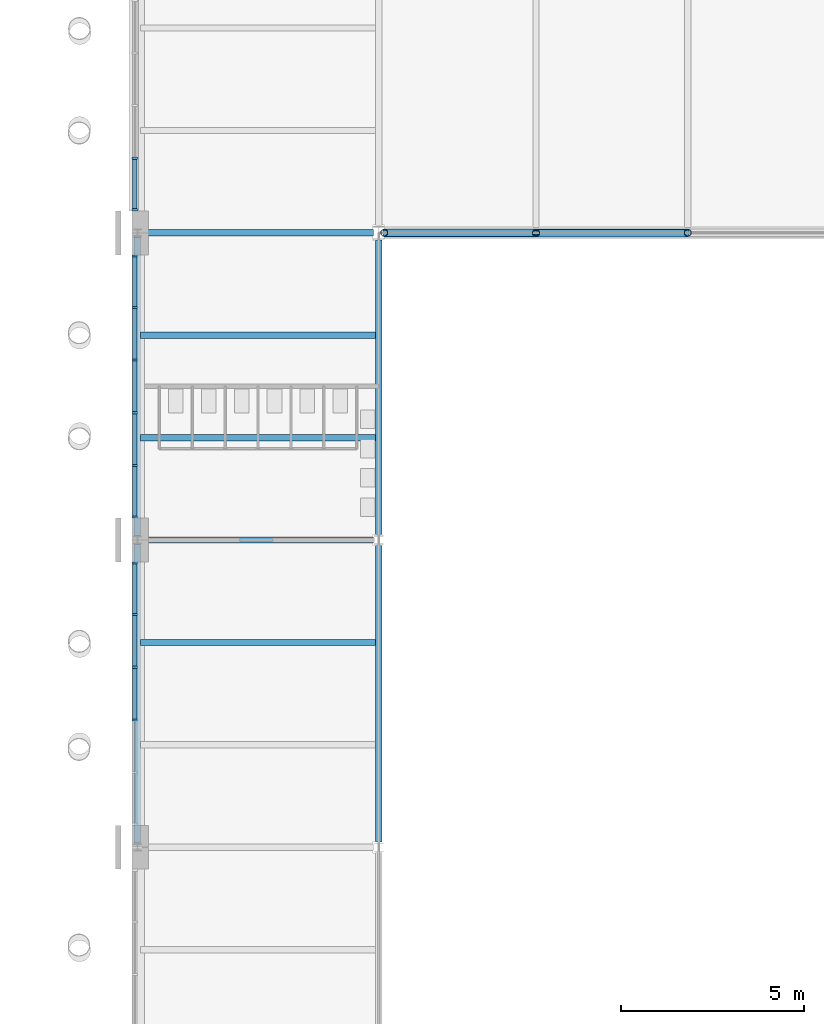
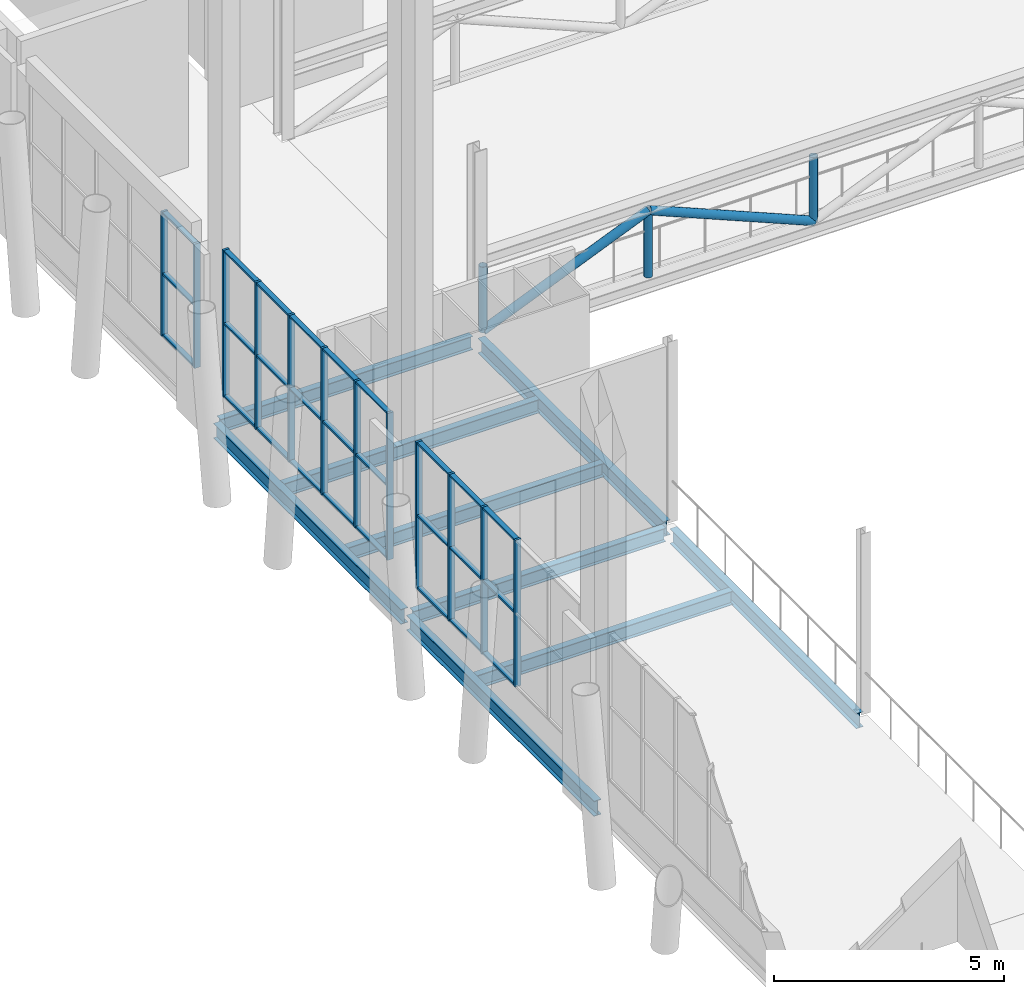
# One storey, part 19 of 76: 44 members, 9 beams, 3 elements without a shape of their own.
"""IFC4 building model written with IfcOpenShell, lengths in metres."""

from ifc_helpers import new_model, si_unit, direction, frame, origin, origin_2d, place, context, subcontext, project, spatial, rectangle, hollow_circle, i_section, extrude, material, material_profile, profile_set, type_object, element, aggregate, save


model = new_model("IFC4")

# Units and contexts
model_context = context("Model", 3, precision=1e-05, world=origin(), true_north=direction((0.0, 1.0)))
body_context = subcontext(model_context, "Body", "Model", "MODEL_VIEW")
ifc_project = project(units=[si_unit("LENGTHUNIT", "METRE"), si_unit("AREAUNIT", "SQUARE_METRE"), si_unit("VOLUMEUNIT", "CUBIC_METRE"), si_unit("PLANEANGLEUNIT", "RADIAN"), si_unit("MASSUNIT", "GRAM", prefix="KILO")], contexts=[model_context])

# Site, building, storey
site_placement = place(None, origin())
site = spatial("IfcSite", under=ifc_project, at=site_placement, CompositionType="ELEMENT")
building_placement = place(site_placement, origin())
building = spatial("IfcBuilding", under=site, at=building_placement, Name="Sava Quay Ferry Terminal", CompositionType="ELEMENT")
storey_placement = place(building_placement, frame((0.0, 0.0, 6.0)))
storey = spatial("IfcBuildingStorey", under=building, at=storey_placement, Name="L01", CompositionType="ELEMENT", Elevation=6.0)

# Beams
ifc_material_1 = material(Name="Steel S355", Category="steel")
ifc_material_profile_1 = material_profile(ifc_material_1, i_section(OverallWidth=0.169921875, OverallDepth=0.360107421875, WebThickness=0.008056640625, FlangeThickness=0.0126953125, at=origin_2d()), Name="IPE 360")
ifc_profile_set_1 = profile_set([ifc_material_profile_1], Name="Steel S355")
beam_type_1 = type_object("IfcBeamType", Name="Beam IPE 360", PredefinedType="BEAM", material=ifc_profile_set_1)
for number, where, z_axis, x_axis, name in (
    (1, (43.919921875, 75.60009765625, -0.31005859375), (1.0, 0.0, 0.0), (0.0, 1.0, 0.0), "Beam L01"),
    (2, (43.919921875, 84.0, -0.31005859375), (1.0, 0.0, 0.0), (0.0, 1.0, 0.0), "Beam L01"),
):
    element("IfcBeam", number, at=place(storey_placement, frame(where, z_axis=z_axis, x_axis=x_axis)), inside=storey, type_object=beam_type_1, Name=name, PredefinedType="BEAM", context=body_context, shape_type="SweptSolid", body=[
        extrude(i_section(OverallWidth=0.169921875, OverallDepth=0.360107421875, WebThickness=0.008056640625, FlangeThickness=0.0126953125, at=origin_2d()), origin(), (0.0, 0.0, 1.0), 6.330078125),
    ])
for number, where, z_axis, x_axis, name in (
    (3, (43.889892578125, 72.800048828125, -0.31005859375), (1.0, 0.0, 0.0), (0.0, 1.0, 0.0), "Secondary beam L01"),
    (4, (43.889892578125, 78.39990234375, -0.31005859375), (1.0, 0.0, 0.0), (0.0, 1.0, 0.0), "Secondary beam L01"),
    (5, (43.889892578125, 81.199951171875, -0.31005859375), (1.0, 0.0, 0.0), (0.0, 1.0, 0.0), "Secondary beam L01"),
):
    element("IfcBeam", number, at=place(storey_placement, frame(where, z_axis=z_axis, x_axis=x_axis)), inside=storey, type_object=beam_type_1, Name=name, PredefinedType="BEAM", context=body_context, shape_type="SweptSolid", body=[
        extrude(i_section(OverallWidth=0.169921875, OverallDepth=0.360107421875, WebThickness=0.008056640625, FlangeThickness=0.0126953125, at=origin_2d()), origin(), (0.0, 0.0, 1.0), 6.420166015625),
    ])
ifc_material_2 = material(Name="Steel S355", Category="steel")
ifc_material_profile_2 = material_profile(ifc_material_2, i_section(OverallWidth=0.179931640625, OverallDepth=0.39990234375, WebThickness=0.008544921875, FlangeThickness=0.013427734375, at=origin_2d()), Name="IPE 400")
ifc_profile_set_2 = profile_set([ifc_material_profile_2], Name="Steel S355")
beam_type_2 = type_object("IfcBeamType", Name="Beam IPE 400", PredefinedType="BEAM", material=ifc_profile_set_2)
for number, where, z_axis, x_axis, name in (
    (6, (43.800048828125, 67.320068359375, -0.330078125), (0.0, 1.0, 0.0), (-1.0, 0.0, 0.0), "Girder L01"),
    (7, (43.800048828125, 75.719970703125, -0.330078125), (0.0, 1.0, 0.0), (-1.0, 0.0, 0.0), "Girder L01"),
):
    element("IfcBeam", number, at=place(storey_placement, frame(where, z_axis=z_axis, x_axis=x_axis)), inside=storey, type_object=beam_type_2, Name=name, PredefinedType="BEAM", context=body_context, shape_type="SweptSolid", body=[
        extrude(i_section(OverallWidth=0.179931640625, OverallDepth=0.39990234375, WebThickness=0.008544921875, FlangeThickness=0.013427734375, at=origin_2d()), origin(), (0.0, 0.0, 1.0), 8.159912109375),
    ])
beam_1_placement = place(storey_placement, frame((50.39990234375, 67.344970703125, -0.330078125), z_axis=(0.0, 1.0, 0.0), x_axis=(-1.0, 0.0, 0.0)))
element("IfcBeam", 8, at=beam_1_placement, inside=storey, type_object=beam_type_2, Name="Girder L01", PredefinedType="BEAM", context=body_context, shape_type="SweptSolid", body=[
    extrude(i_section(OverallWidth=0.179931640625, OverallDepth=0.39990234375, WebThickness=0.008544921875, FlangeThickness=0.013427734375, at=origin_2d()), origin(), (0.0, 0.0, 1.0), 8.110107421875),
])
beam_2_placement = place(storey_placement, frame((50.39990234375, 75.7451171875, -0.330078125), z_axis=(0.0, 1.0, 0.0), x_axis=(-1.0, 0.0, 0.0)))
element("IfcBeam", 9, at=beam_2_placement, inside=storey, type_object=beam_type_2, Name="Girder L01", PredefinedType="BEAM", context=body_context, shape_type="SweptSolid", body=[
    extrude(i_section(OverallWidth=0.179931640625, OverallDepth=0.39990234375, WebThickness=0.008544921875, FlangeThickness=0.013427734375, at=origin_2d()), origin(), (0.0, 0.0, 1.0), 8.054931640625),
])

# Members
ifc_material_3 = material(Name="Steel S355", Category="steel")
ifc_material_profile_3 = material_profile(ifc_material_3, hollow_circle(Radius=0.096923828125, WallThickness=0.008056640625, at=origin_2d()), Name="CHS 193.7 x 8")
ifc_profile_set_3 = profile_set([ifc_material_profile_3], Name="Steel S355")
member_type_1 = type_object("IfcMemberType", Name="Brace CHS 193.7 x 8", PredefinedType="BRACE", material=ifc_profile_set_3)
for number, where, z_axis, x_axis, name in (
    (10, (50.550048828125, 84.0, -0.1298828125), (0.0, 0.0, 1.0), (1.0, 0.0, 0.0), "Truss post 84"),
    (11, (54.699951171875, 84.0, -0.1298828125), (0.0, 0.0, 1.0), (1.0, 0.0, 0.0), "Truss post 84"),
    (12, (58.85009765625, 84.0, -0.1298828125), (0.0, 0.0, 1.0), (1.0, 0.0, 0.0), "Truss post 84"),
):
    element("IfcMember", number, at=place(storey_placement, frame(where, z_axis=z_axis, x_axis=x_axis)), inside=storey, type_object=member_type_1, Name=name, PredefinedType="BRACE", context=body_context, shape_type="SweptSolid", body=[
        extrude(hollow_circle(Radius=0.096923828125, WallThickness=0.008056640625, at=origin_2d()), origin(), (0.0, 0.0, 1.0), 1.739990234375),
    ])
ifc_material_4 = material(Name="Steel S355", Category="steel")
ifc_material_profile_4 = material_profile(ifc_material_4, hollow_circle(Radius=0.109619140625, WallThickness=0.010009765625, at=origin_2d()), Name="CHS 219.1 x 10")
ifc_profile_set_4 = profile_set([ifc_material_profile_4], Name="Steel S355")
member_type_2 = type_object("IfcMemberType", Name="Brace CHS 219.1 x 10", PredefinedType="BRACE", material=ifc_profile_set_4)
member_1_placement = place(storey_placement, frame((50.550048828125, 84.0, -0.1298828125), z_axis=(0.922217474343, 0.0, 0.386671604874), x_axis=(0.0, 1.0, 0.0)))
element("IfcMember", 13, at=member_1_placement, inside=storey, type_object=member_type_2, Name="Truss diagonal 84", PredefinedType="BRACE", context=body_context, shape_type="SweptSolid", body=[
    extrude(hollow_circle(Radius=0.109619140625, WallThickness=0.010009765625, at=origin_2d()), origin(), (0.0, 0.0, 1.0), 4.5),
])
member_2_placement = place(storey_placement, frame((58.85009765625, 84.0, -0.1298828125), z_axis=(-0.922225585588, 0.0, 0.386652258867), x_axis=(0.0, -1.0, 0.0)))
element("IfcMember", 14, at=member_2_placement, inside=storey, type_object=member_type_2, Name="Truss diagonal 84", PredefinedType="BRACE", context=body_context, shape_type="SweptSolid", body=[
    extrude(hollow_circle(Radius=0.109619140625, WallThickness=0.010009765625, at=origin_2d()), origin(), (0.0, 0.0, 1.0), 4.500244140625),
])

# Curtain wall, members
ifc_material_5 = material(Name="Aluminium and glass curtain wall, double low-e glazed", Category="aluminium")
curtain_wall_type = type_object("IfcCurtainWallType", Name="Curtain wall CW-F flank", PredefinedType="NOTDEFINED", material=ifc_material_5)
curtain_wall_1_placement = place(storey_placement, origin())
curtain_wall_1 = element("IfcCurtainWall", 15, at=curtain_wall_1_placement, inside=storey, type_object=curtain_wall_type, Name="Curtain wall D-W L01 bay 3", PredefinedType="NOTDEFINED")
ifc_material_6 = material(Name="Aluminium EN AW-6063 T6", Category="aluminium")
ifc_material_profile_5 = material_profile(ifc_material_6, rectangle(XDim=0.14990234375, YDim=0.06005859375, at=origin_2d()), Name="Mullion 60x150 aluminium")
ifc_profile_set_5 = profile_set([ifc_material_profile_5], Name="Aluminium EN AW-6063 T6")
member_type_3 = type_object("IfcMemberType", Name="Mullion 60x150 aluminium", PredefinedType="MULLION", material=ifc_profile_set_5)
member_3_placement = place(storey_placement, frame((43.72509765625, 70.679931640625, 0.89990234375), z_axis=(0.0, 0.0, 1.0), x_axis=(-1.0, 0.0, 0.0)))
member_3 = element("IfcMember", 16, at=member_3_placement, type_object=member_type_3, Name="CW104 mullion 3", PredefinedType="MULLION", context=body_context, shape_type="SweptSolid", body=[
    extrude(rectangle(XDim=0.14990234375, YDim=0.06005859375, at=origin_2d()), origin(), (0.0, 0.0, 1.0), 3.900146484375),
])
member_4_placement = place(storey_placement, frame((43.72509765625, 72.1201171875, 0.89990234375), z_axis=(0.0, 0.0, 1.0), x_axis=(-1.0, 0.0, 0.0)))
member_4 = element("IfcMember", 17, at=member_4_placement, type_object=member_type_3, Name="CW104 mullion 4", PredefinedType="MULLION", context=body_context, shape_type="SweptSolid", body=[
    extrude(rectangle(XDim=0.14990234375, YDim=0.06005859375, at=origin_2d()), origin(), (0.0, 0.0, 1.0), 3.900146484375),
])
member_5_placement = place(storey_placement, frame((43.72509765625, 73.56005859375, 0.89990234375), z_axis=(0.0, 0.0, 1.0), x_axis=(-1.0, 0.0, 0.0)))
member_5 = element("IfcMember", 18, at=member_5_placement, type_object=member_type_3, Name="CW104 mullion 5", PredefinedType="MULLION", context=body_context, shape_type="SweptSolid", body=[
    extrude(rectangle(XDim=0.14990234375, YDim=0.06005859375, at=origin_2d()), origin(), (0.0, 0.0, 1.0), 3.900146484375),
])
member_6_placement = place(storey_placement, frame((43.72509765625, 74.969970703125, 0.89990234375), z_axis=(0.0, 0.0, 1.0), x_axis=(-1.0, 0.0, 0.0)))
member_6 = element("IfcMember", 19, at=member_6_placement, type_object=member_type_3, Name="CW104 mullion 6", PredefinedType="MULLION", context=body_context, shape_type="SweptSolid", body=[
    extrude(rectangle(XDim=0.14990234375, YDim=0.06005859375, at=origin_2d()), origin(), (0.0, 0.0, 1.0), 3.900146484375),
])

curtain_wall_2_placement = place(storey_placement, origin())
curtain_wall_2 = element("IfcCurtainWall", 20, at=curtain_wall_2_placement, inside=storey, type_object=curtain_wall_type, Name="Curtain wall D-W L01 bay 4", PredefinedType="NOTDEFINED")
member_7_placement = place(storey_placement, frame((43.72509765625, 76.22998046875, 0.89990234375), z_axis=(0.0, 0.0, 1.0), x_axis=(-1.0, 0.0, 0.0)))
member_7 = element("IfcMember", 21, at=member_7_placement, type_object=member_type_3, Name="CW107 mullion 1", PredefinedType="MULLION", context=body_context, shape_type="SweptSolid", body=[
    extrude(rectangle(XDim=0.14990234375, YDim=0.06005859375, at=origin_2d()), origin(), (0.0, 0.0, 1.0), 3.900146484375),
])
member_8_placement = place(storey_placement, frame((43.72509765625, 77.639892578125, 0.89990234375), z_axis=(0.0, 0.0, 1.0), x_axis=(-1.0, 0.0, 0.0)))
member_8 = element("IfcMember", 22, at=member_8_placement, type_object=member_type_3, Name="CW107 mullion 2", PredefinedType="MULLION", context=body_context, shape_type="SweptSolid", body=[
    extrude(rectangle(XDim=0.14990234375, YDim=0.06005859375, at=origin_2d()), origin(), (0.0, 0.0, 1.0), 3.900146484375),
])
member_9_placement = place(storey_placement, frame((43.72509765625, 79.080078125, 0.89990234375), z_axis=(0.0, 0.0, 1.0), x_axis=(-1.0, 0.0, 0.0)))
member_9 = element("IfcMember", 23, at=member_9_placement, type_object=member_type_3, Name="CW107 mullion 3", PredefinedType="MULLION", context=body_context, shape_type="SweptSolid", body=[
    extrude(rectangle(XDim=0.14990234375, YDim=0.06005859375, at=origin_2d()), origin(), (0.0, 0.0, 1.0), 3.900146484375),
])
member_10_placement = place(storey_placement, frame((43.72509765625, 80.52001953125, 0.89990234375), z_axis=(0.0, 0.0, 1.0), x_axis=(-1.0, 0.0, 0.0)))
member_10 = element("IfcMember", 24, at=member_10_placement, type_object=member_type_3, Name="CW107 mullion 4", PredefinedType="MULLION", context=body_context, shape_type="SweptSolid", body=[
    extrude(rectangle(XDim=0.14990234375, YDim=0.06005859375, at=origin_2d()), origin(), (0.0, 0.0, 1.0), 3.900146484375),
])
member_11_placement = place(storey_placement, frame((43.72509765625, 81.9599609375, 0.89990234375), z_axis=(0.0, 0.0, 1.0), x_axis=(-1.0, 0.0, 0.0)))
member_11 = element("IfcMember", 25, at=member_11_placement, type_object=member_type_3, Name="CW107 mullion 5", PredefinedType="MULLION", context=body_context, shape_type="SweptSolid", body=[
    extrude(rectangle(XDim=0.14990234375, YDim=0.06005859375, at=origin_2d()), origin(), (0.0, 0.0, 1.0), 3.900146484375),
])
member_12_placement = place(storey_placement, frame((43.72509765625, 83.3701171875, 0.89990234375), z_axis=(0.0, 0.0, 1.0), x_axis=(-1.0, 0.0, 0.0)))
member_12 = element("IfcMember", 26, at=member_12_placement, type_object=member_type_3, Name="CW107 mullion 6", PredefinedType="MULLION", context=body_context, shape_type="SweptSolid", body=[
    extrude(rectangle(XDim=0.14990234375, YDim=0.06005859375, at=origin_2d()), origin(), (0.0, 0.0, 1.0), 3.900146484375),
])

curtain_wall_3_placement = place(storey_placement, origin())
curtain_wall_3 = element("IfcCurtainWall", 27, at=curtain_wall_3_placement, inside=storey, type_object=curtain_wall_type, Name="Curtain wall D-W L01 bay 5", PredefinedType="NOTDEFINED")
member_13_placement = place(storey_placement, frame((43.72509765625, 84.6298828125, 0.89990234375), z_axis=(0.0, 0.0, 1.0), x_axis=(-1.0, 0.0, 0.0)))
member_13 = element("IfcMember", 28, at=member_13_placement, type_object=member_type_3, Name="CW111 mullion 1", PredefinedType="MULLION", context=body_context, shape_type="SweptSolid", body=[
    extrude(rectangle(XDim=0.14990234375, YDim=0.06005859375, at=origin_2d()), origin(), (0.0, 0.0, 1.0), 3.300048828125),
])
member_14_placement = place(storey_placement, frame((43.72509765625, 86.0400390625, 0.89990234375), z_axis=(0.0, 0.0, 1.0), x_axis=(-1.0, 0.0, 0.0)))
member_14 = element("IfcMember", 29, at=member_14_placement, type_object=member_type_3, Name="CW111 mullion 2", PredefinedType="MULLION", context=body_context, shape_type="SweptSolid", body=[
    extrude(rectangle(XDim=0.14990234375, YDim=0.06005859375, at=origin_2d()), origin(), (0.0, 0.0, 1.0), 3.300048828125),
])

# Member
ifc_material_7 = material(Name="Aluminium EN AW-6063 T6", Category="aluminium")
ifc_material_profile_6 = material_profile(ifc_material_7, rectangle(XDim=0.1201171875, YDim=0.050048828125, at=origin_2d()), Name="Transom 50x120 aluminium")
ifc_profile_set_6 = profile_set([ifc_material_profile_6], Name="Aluminium EN AW-6063 T6")
member_type_4 = type_object("IfcMemberType", Name="Transom 50x120 aluminium", PredefinedType="USERDEFINED", material=ifc_profile_set_6)
member_15_placement = place(storey_placement, frame((43.72509765625, 70.7099609375, 0.925048828125), z_axis=(0.0, 1.0, 0.0), x_axis=(-1.0, 0.0, 0.0)))
member_15 = element("IfcMember", 30, at=member_15_placement, type_object=member_type_4, Name="CW104 transom 3.1", ObjectType="TRANSOM", PredefinedType="USERDEFINED", context=body_context, shape_type="SweptSolid", body=[
    extrude(rectangle(XDim=0.1201171875, YDim=0.050048828125, at=origin_2d()), origin(), (0.0, 0.0, 1.0), 1.380126953125),
])

member_16_placement = place(storey_placement, frame((43.72509765625, 70.7099609375, 2.85009765625), z_axis=(0.0, 1.0, 0.0), x_axis=(-1.0, 0.0, 0.0)))
member_16 = element("IfcMember", 31, at=member_16_placement, type_object=member_type_4, Name="CW104 transom 3.2", ObjectType="TRANSOM", PredefinedType="USERDEFINED", context=body_context, shape_type="SweptSolid", body=[
    extrude(rectangle(XDim=0.1201171875, YDim=0.050048828125, at=origin_2d()), origin(), (0.0, 0.0, 1.0), 1.380126953125),
])

member_17_placement = place(storey_placement, frame((43.72509765625, 70.7099609375, 4.77490234375), z_axis=(0.0, 1.0, 0.0), x_axis=(-1.0, 0.0, 0.0)))
member_17 = element("IfcMember", 32, at=member_17_placement, type_object=member_type_4, Name="CW104 transom 3.3", ObjectType="TRANSOM", PredefinedType="USERDEFINED", context=body_context, shape_type="SweptSolid", body=[
    extrude(rectangle(XDim=0.1201171875, YDim=0.050048828125, at=origin_2d()), origin(), (0.0, 0.0, 1.0), 1.380126953125),
])

member_18_placement = place(storey_placement, frame((43.72509765625, 72.14990234375, 0.925048828125), z_axis=(0.0, 1.0, 0.0), x_axis=(-1.0, 0.0, 0.0)))
member_18 = element("IfcMember", 33, at=member_18_placement, type_object=member_type_4, Name="CW104 transom 4.1", ObjectType="TRANSOM", PredefinedType="USERDEFINED", context=body_context, shape_type="SweptSolid", body=[
    extrude(rectangle(XDim=0.1201171875, YDim=0.050048828125, at=origin_2d()), origin(), (0.0, 0.0, 1.0), 1.380126953125),
])

member_19_placement = place(storey_placement, frame((43.72509765625, 72.14990234375, 2.85009765625), z_axis=(0.0, 1.0, 0.0), x_axis=(-1.0, 0.0, 0.0)))
member_19 = element("IfcMember", 34, at=member_19_placement, type_object=member_type_4, Name="CW104 transom 4.2", ObjectType="TRANSOM", PredefinedType="USERDEFINED", context=body_context, shape_type="SweptSolid", body=[
    extrude(rectangle(XDim=0.1201171875, YDim=0.050048828125, at=origin_2d()), origin(), (0.0, 0.0, 1.0), 1.380126953125),
])

member_20_placement = place(storey_placement, frame((43.72509765625, 72.14990234375, 4.77490234375), z_axis=(0.0, 1.0, 0.0), x_axis=(-1.0, 0.0, 0.0)))
member_20 = element("IfcMember", 35, at=member_20_placement, type_object=member_type_4, Name="CW104 transom 4.3", ObjectType="TRANSOM", PredefinedType="USERDEFINED", context=body_context, shape_type="SweptSolid", body=[
    extrude(rectangle(XDim=0.1201171875, YDim=0.050048828125, at=origin_2d()), origin(), (0.0, 0.0, 1.0), 1.380126953125),
])

member_21_placement = place(storey_placement, frame((43.72509765625, 73.590087890625, 0.925048828125), z_axis=(0.0, 1.0, 0.0), x_axis=(-1.0, 0.0, 0.0)))
member_21 = element("IfcMember", 36, at=member_21_placement, type_object=member_type_4, Name="CW104 transom 5.1", ObjectType="TRANSOM", PredefinedType="USERDEFINED", context=body_context, shape_type="SweptSolid", body=[
    extrude(rectangle(XDim=0.1201171875, YDim=0.050048828125, at=origin_2d()), origin(), (0.0, 0.0, 1.0), 1.349853515625),
])

member_22_placement = place(storey_placement, frame((43.72509765625, 73.590087890625, 2.85009765625), z_axis=(0.0, 1.0, 0.0), x_axis=(-1.0, 0.0, 0.0)))
member_22 = element("IfcMember", 37, at=member_22_placement, type_object=member_type_4, Name="CW104 transom 5.2", ObjectType="TRANSOM", PredefinedType="USERDEFINED", context=body_context, shape_type="SweptSolid", body=[
    extrude(rectangle(XDim=0.1201171875, YDim=0.050048828125, at=origin_2d()), origin(), (0.0, 0.0, 1.0), 1.349853515625),
])

member_23_placement = place(storey_placement, frame((43.72509765625, 73.590087890625, 4.77490234375), z_axis=(0.0, 1.0, 0.0), x_axis=(-1.0, 0.0, 0.0)))
member_23 = element("IfcMember", 38, at=member_23_placement, type_object=member_type_4, Name="CW104 transom 5.3", ObjectType="TRANSOM", PredefinedType="USERDEFINED", context=body_context, shape_type="SweptSolid", body=[
    extrude(rectangle(XDim=0.1201171875, YDim=0.050048828125, at=origin_2d()), origin(), (0.0, 0.0, 1.0), 1.349853515625),
])

aggregate(curtain_wall_1, [member_3, member_4, member_5, member_6, member_15, member_16, member_17, member_18, member_19, member_20, member_21, member_22, member_23])

member_24_placement = place(storey_placement, frame((43.72509765625, 76.260009765625, 0.925048828125), z_axis=(0.0, 1.0, 0.0), x_axis=(-1.0, 0.0, 0.0)))
member_24 = element("IfcMember", 39, at=member_24_placement, type_object=member_type_4, Name="CW107 transom 1.1", ObjectType="TRANSOM", PredefinedType="USERDEFINED", context=body_context, shape_type="SweptSolid", body=[
    extrude(rectangle(XDim=0.1201171875, YDim=0.050048828125, at=origin_2d()), origin(), (0.0, 0.0, 1.0), 1.35009765625),
])

member_25_placement = place(storey_placement, frame((43.72509765625, 76.260009765625, 2.85009765625), z_axis=(0.0, 1.0, 0.0), x_axis=(-1.0, 0.0, 0.0)))
member_25 = element("IfcMember", 40, at=member_25_placement, type_object=member_type_4, Name="CW107 transom 1.2", ObjectType="TRANSOM", PredefinedType="USERDEFINED", context=body_context, shape_type="SweptSolid", body=[
    extrude(rectangle(XDim=0.1201171875, YDim=0.050048828125, at=origin_2d()), origin(), (0.0, 0.0, 1.0), 1.35009765625),
])

member_26_placement = place(storey_placement, frame((43.72509765625, 76.260009765625, 4.77490234375), z_axis=(0.0, 1.0, 0.0), x_axis=(-1.0, 0.0, 0.0)))
member_26 = element("IfcMember", 41, at=member_26_placement, type_object=member_type_4, Name="CW107 transom 1.3", ObjectType="TRANSOM", PredefinedType="USERDEFINED", context=body_context, shape_type="SweptSolid", body=[
    extrude(rectangle(XDim=0.1201171875, YDim=0.050048828125, at=origin_2d()), origin(), (0.0, 0.0, 1.0), 1.35009765625),
])

member_27_placement = place(storey_placement, frame((43.72509765625, 77.669921875, 0.925048828125), z_axis=(0.0, 1.0, 0.0), x_axis=(-1.0, 0.0, 0.0)))
member_27 = element("IfcMember", 42, at=member_27_placement, type_object=member_type_4, Name="CW107 transom 2.1", ObjectType="TRANSOM", PredefinedType="USERDEFINED", context=body_context, shape_type="SweptSolid", body=[
    extrude(rectangle(XDim=0.1201171875, YDim=0.050048828125, at=origin_2d()), origin(), (0.0, 0.0, 1.0), 1.380126953125),
])

member_28_placement = place(storey_placement, frame((43.72509765625, 77.669921875, 2.85009765625), z_axis=(0.0, 1.0, 0.0), x_axis=(-1.0, 0.0, 0.0)))
member_28 = element("IfcMember", 43, at=member_28_placement, type_object=member_type_4, Name="CW107 transom 2.2", ObjectType="TRANSOM", PredefinedType="USERDEFINED", context=body_context, shape_type="SweptSolid", body=[
    extrude(rectangle(XDim=0.1201171875, YDim=0.050048828125, at=origin_2d()), origin(), (0.0, 0.0, 1.0), 1.380126953125),
])

member_29_placement = place(storey_placement, frame((43.72509765625, 77.669921875, 4.77490234375), z_axis=(0.0, 1.0, 0.0), x_axis=(-1.0, 0.0, 0.0)))
member_29 = element("IfcMember", 44, at=member_29_placement, type_object=member_type_4, Name="CW107 transom 2.3", ObjectType="TRANSOM", PredefinedType="USERDEFINED", context=body_context, shape_type="SweptSolid", body=[
    extrude(rectangle(XDim=0.1201171875, YDim=0.050048828125, at=origin_2d()), origin(), (0.0, 0.0, 1.0), 1.380126953125),
])

member_30_placement = place(storey_placement, frame((43.72509765625, 79.110107421875, 0.925048828125), z_axis=(0.0, 1.0, 0.0), x_axis=(-1.0, 0.0, 0.0)))
member_30 = element("IfcMember", 45, at=member_30_placement, type_object=member_type_4, Name="CW107 transom 3.1", ObjectType="TRANSOM", PredefinedType="USERDEFINED", context=body_context, shape_type="SweptSolid", body=[
    extrude(rectangle(XDim=0.1201171875, YDim=0.050048828125, at=origin_2d()), origin(), (0.0, 0.0, 1.0), 1.3798828125),
])

member_31_placement = place(storey_placement, frame((43.72509765625, 79.110107421875, 2.85009765625), z_axis=(0.0, 1.0, 0.0), x_axis=(-1.0, 0.0, 0.0)))
member_31 = element("IfcMember", 46, at=member_31_placement, type_object=member_type_4, Name="CW107 transom 3.2", ObjectType="TRANSOM", PredefinedType="USERDEFINED", context=body_context, shape_type="SweptSolid", body=[
    extrude(rectangle(XDim=0.1201171875, YDim=0.050048828125, at=origin_2d()), origin(), (0.0, 0.0, 1.0), 1.3798828125),
])

member_32_placement = place(storey_placement, frame((43.72509765625, 79.110107421875, 4.77490234375), z_axis=(0.0, 1.0, 0.0), x_axis=(-1.0, 0.0, 0.0)))
member_32 = element("IfcMember", 47, at=member_32_placement, type_object=member_type_4, Name="CW107 transom 3.3", ObjectType="TRANSOM", PredefinedType="USERDEFINED", context=body_context, shape_type="SweptSolid", body=[
    extrude(rectangle(XDim=0.1201171875, YDim=0.050048828125, at=origin_2d()), origin(), (0.0, 0.0, 1.0), 1.3798828125),
])

member_33_placement = place(storey_placement, frame((43.72509765625, 80.550048828125, 0.925048828125), z_axis=(0.0, 1.0, 0.0), x_axis=(-1.0, 0.0, 0.0)))
member_33 = element("IfcMember", 48, at=member_33_placement, type_object=member_type_4, Name="CW107 transom 4.1", ObjectType="TRANSOM", PredefinedType="USERDEFINED", context=body_context, shape_type="SweptSolid", body=[
    extrude(rectangle(XDim=0.1201171875, YDim=0.050048828125, at=origin_2d()), origin(), (0.0, 0.0, 1.0), 1.3798828125),
])

member_34_placement = place(storey_placement, frame((43.72509765625, 80.550048828125, 2.85009765625), z_axis=(0.0, 1.0, 0.0), x_axis=(-1.0, 0.0, 0.0)))
member_34 = element("IfcMember", 49, at=member_34_placement, type_object=member_type_4, Name="CW107 transom 4.2", ObjectType="TRANSOM", PredefinedType="USERDEFINED", context=body_context, shape_type="SweptSolid", body=[
    extrude(rectangle(XDim=0.1201171875, YDim=0.050048828125, at=origin_2d()), origin(), (0.0, 0.0, 1.0), 1.3798828125),
])

member_35_placement = place(storey_placement, frame((43.72509765625, 80.550048828125, 4.77490234375), z_axis=(0.0, 1.0, 0.0), x_axis=(-1.0, 0.0, 0.0)))
member_35 = element("IfcMember", 50, at=member_35_placement, type_object=member_type_4, Name="CW107 transom 4.3", ObjectType="TRANSOM", PredefinedType="USERDEFINED", context=body_context, shape_type="SweptSolid", body=[
    extrude(rectangle(XDim=0.1201171875, YDim=0.050048828125, at=origin_2d()), origin(), (0.0, 0.0, 1.0), 1.3798828125),
])

member_36_placement = place(storey_placement, frame((43.72509765625, 81.989990234375, 0.925048828125), z_axis=(0.0, 1.0, 0.0), x_axis=(-1.0, 0.0, 0.0)))
member_36 = element("IfcMember", 51, at=member_36_placement, type_object=member_type_4, Name="CW107 transom 5.1", ObjectType="TRANSOM", PredefinedType="USERDEFINED", context=body_context, shape_type="SweptSolid", body=[
    extrude(rectangle(XDim=0.1201171875, YDim=0.050048828125, at=origin_2d()), origin(), (0.0, 0.0, 1.0), 1.35009765625),
])

member_37_placement = place(storey_placement, frame((43.72509765625, 81.989990234375, 2.85009765625), z_axis=(0.0, 1.0, 0.0), x_axis=(-1.0, 0.0, 0.0)))
member_37 = element("IfcMember", 52, at=member_37_placement, type_object=member_type_4, Name="CW107 transom 5.2", ObjectType="TRANSOM", PredefinedType="USERDEFINED", context=body_context, shape_type="SweptSolid", body=[
    extrude(rectangle(XDim=0.1201171875, YDim=0.050048828125, at=origin_2d()), origin(), (0.0, 0.0, 1.0), 1.35009765625),
])

member_38_placement = place(storey_placement, frame((43.72509765625, 81.989990234375, 4.77490234375), z_axis=(0.0, 1.0, 0.0), x_axis=(-1.0, 0.0, 0.0)))
member_38 = element("IfcMember", 53, at=member_38_placement, type_object=member_type_4, Name="CW107 transom 5.3", ObjectType="TRANSOM", PredefinedType="USERDEFINED", context=body_context, shape_type="SweptSolid", body=[
    extrude(rectangle(XDim=0.1201171875, YDim=0.050048828125, at=origin_2d()), origin(), (0.0, 0.0, 1.0), 1.35009765625),
])

aggregate(curtain_wall_2, [member_7, member_8, member_9, member_10, member_11, member_12, member_24, member_25, member_26, member_27, member_28, member_29, member_30, member_31, member_32, member_33, member_34, member_35, member_36, member_37, member_38])

member_39_placement = place(storey_placement, frame((43.72509765625, 84.659912109375, 0.925048828125), z_axis=(0.0, 1.0, 0.0), x_axis=(-1.0, 0.0, 0.0)))
member_39 = element("IfcMember", 54, at=member_39_placement, type_object=member_type_4, Name="CW111 transom 1.1", ObjectType="TRANSOM", PredefinedType="USERDEFINED", context=body_context, shape_type="SweptSolid", body=[
    extrude(rectangle(XDim=0.1201171875, YDim=0.050048828125, at=origin_2d()), origin(), (0.0, 0.0, 1.0), 1.35009765625),
])

member_40_placement = place(storey_placement, frame((43.72509765625, 84.659912109375, 2.550048828125), z_axis=(0.0, 1.0, 0.0), x_axis=(-1.0, 0.0, 0.0)))
member_40 = element("IfcMember", 55, at=member_40_placement, type_object=member_type_4, Name="CW111 transom 1.2", ObjectType="TRANSOM", PredefinedType="USERDEFINED", context=body_context, shape_type="SweptSolid", body=[
    extrude(rectangle(XDim=0.1201171875, YDim=0.050048828125, at=origin_2d()), origin(), (0.0, 0.0, 1.0), 1.35009765625),
])

member_41_placement = place(storey_placement, frame((43.72509765625, 84.659912109375, 4.175048828125), z_axis=(0.0, 1.0, 0.0), x_axis=(-1.0, 0.0, 0.0)))
member_41 = element("IfcMember", 56, at=member_41_placement, type_object=member_type_4, Name="CW111 transom 1.3", ObjectType="TRANSOM", PredefinedType="USERDEFINED", context=body_context, shape_type="SweptSolid", body=[
    extrude(rectangle(XDim=0.1201171875, YDim=0.050048828125, at=origin_2d()), origin(), (0.0, 0.0, 1.0), 1.35009765625),
])

aggregate(curtain_wall_3, [member_13, member_14, member_39, member_40, member_41])

save(model, "model.ifc")
